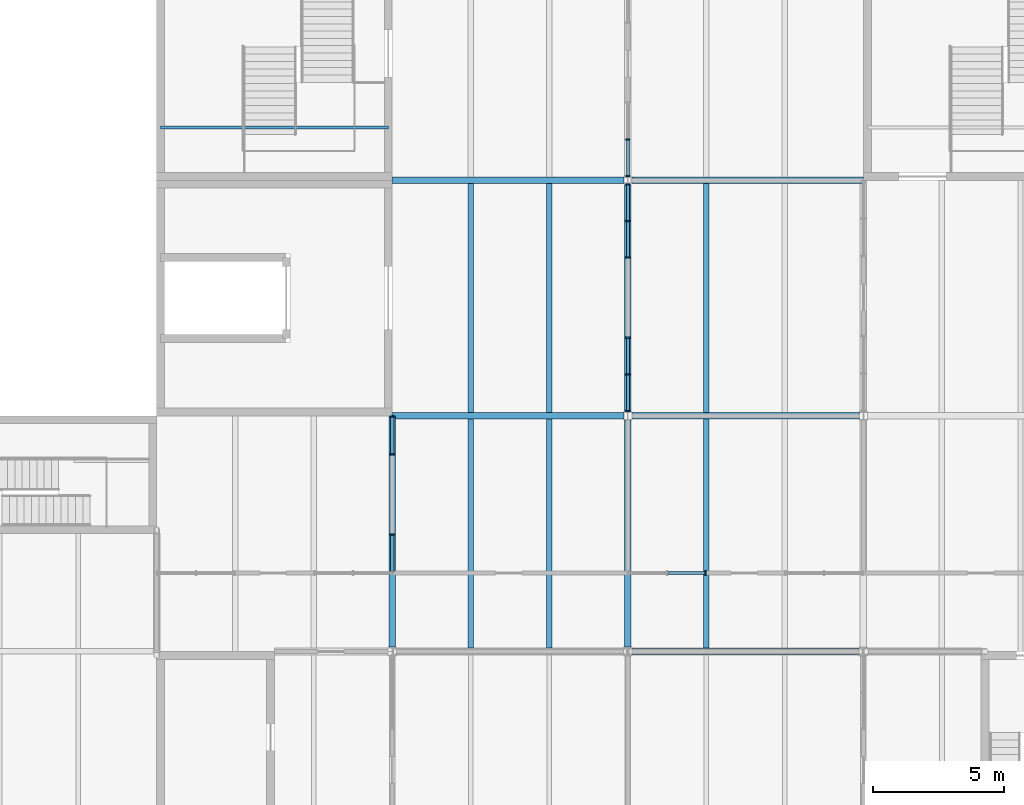
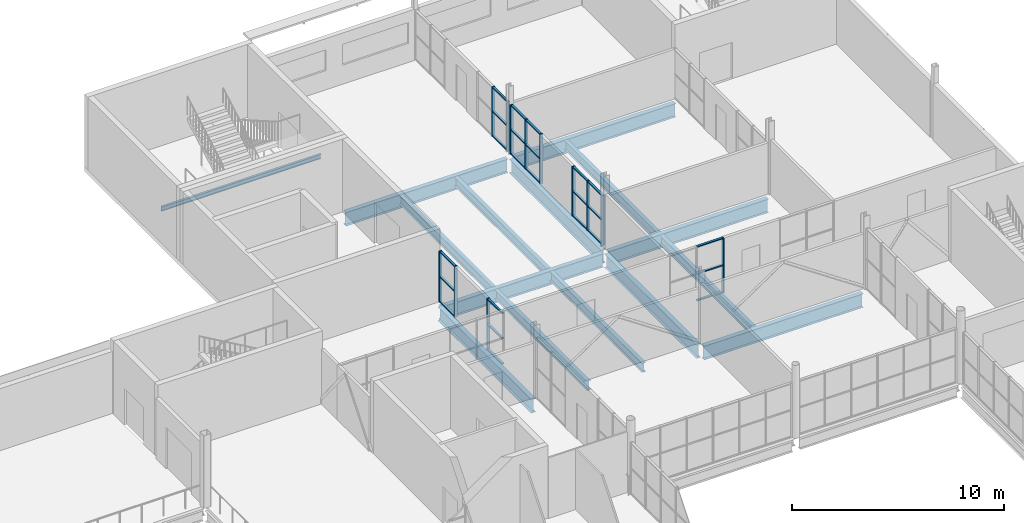
# One storey, part 22 of 57: 36 members, 15 beams, 6 elements without a shape of their own.
"""IFC4 building model written with IfcOpenShell, lengths in metres."""

from ifc_helpers import new_model, si_unit, direction, frame, origin, origin_2d, place, context, subcontext, project, spatial, rectangle, i_section, extrude, material, layer, layer_set, material_profile, profile_set, type_object, element, aggregate, save


model = new_model("IFC4")

# Units and contexts
model_context = context("Model", 3, precision=1e-05, world=origin(), true_north=direction((0.0, 1.0)))
body_context = subcontext(model_context, "Body", "Model", "MODEL_VIEW")
ifc_project = project(units=[si_unit("LENGTHUNIT", "METRE"), si_unit("AREAUNIT", "SQUARE_METRE"), si_unit("VOLUMEUNIT", "CUBIC_METRE"), si_unit("PLANEANGLEUNIT", "RADIAN"), si_unit("MASSUNIT", "GRAM", prefix="KILO")], contexts=[model_context])

# Site, building, storey
site_placement = place(None, origin())
site = spatial("IfcSite", under=ifc_project, at=site_placement, CompositionType="ELEMENT")
building_placement = place(site_placement, origin())
building = spatial("IfcBuilding", under=site, at=building_placement, Name="Halyard Row Museum", CompositionType="ELEMENT")
storey_placement = place(building_placement, frame((0.0, 0.0, 5.0)))
storey = spatial("IfcBuildingStorey", under=building, at=storey_placement, Name="L01", CompositionType="ELEMENT", Elevation=5.0)

# Curtain wall, member
ifc_material_1 = material(Name="Fire-resisting laminated glazing", Category="glass")
ifc_layer = layer(ifc_material_1, 0.159912109375)
ifc_layer_set = layer_set([ifc_layer], Name="Fire-resisting laminated glazing")
curtain_wall_type = type_object("IfcCurtainWallType", Name="Curtain wall atrium screen 160 deep", PredefinedType="NOTDEFINED", material=ifc_layer_set)
curtain_wall_1_placement = place(storey_placement, origin())
curtain_wall_1 = element("IfcCurtainWall", 1, at=curtain_wall_1_placement, inside=storey, type_object=curtain_wall_type, Name="Curtain wall CW150", PredefinedType="NOTDEFINED")
ifc_material_2 = material(Name="Powder-coated aluminium section", Category="aluminium")
ifc_material_profile_1 = material_profile(ifc_material_2, rectangle(XDim=0.159912109375, YDim=0.06005859375, at=origin_2d()), Name="160x60 mullion")
ifc_profile_set_1 = profile_set([ifc_material_profile_1], Name="Powder-coated aluminium section")
member_type_1 = type_object("IfcMemberType", Name="Curtain wall mullion CM5 60 x 160", PredefinedType="MULLION", material=ifc_profile_set_1)
member_1_placement = place(storey_placement, frame((92.969970703125, 39.0, 0.0), z_axis=(0.0, 0.0, 1.0), x_axis=(0.0, 1.0, 0.0)))
member_1 = element("IfcMember", 2, at=member_1_placement, type_object=member_type_1, Name="CW150 mullion 3", PredefinedType="MULLION", context=body_context, shape_type="SweptSolid", body=[
    extrude(rectangle(XDim=0.159912109375, YDim=0.06005859375, at=origin_2d()), origin(), (0.0, 0.0, 1.0), 3.157958984375),
])

curtain_wall_2_placement = place(storey_placement, origin())
curtain_wall_2 = element("IfcCurtainWall", 3, at=curtain_wall_2_placement, inside=storey, type_object=curtain_wall_type, Name="Curtain wall CW152", PredefinedType="NOTDEFINED")
member_2_placement = place(storey_placement, frame((81.0, 40.469970703125, 0.0), z_axis=(0.0, 0.0, 1.0), x_axis=(-1.0, 0.0, 0.0)))
member_2 = element("IfcMember", 4, at=member_2_placement, type_object=member_type_1, Name="CW152 mullion 2", PredefinedType="MULLION", context=body_context, shape_type="SweptSolid", body=[
    extrude(rectangle(XDim=0.159912109375, YDim=0.06005859375, at=origin_2d()), origin(), (0.0, 0.0, 1.0), 2.949951171875),
])

# Curtain wall, members
curtain_wall_3_placement = place(storey_placement, origin())
curtain_wall_3 = element("IfcCurtainWall", 5, at=curtain_wall_3_placement, inside=storey, type_object=curtain_wall_type, Name="Curtain wall CW153", PredefinedType="NOTDEFINED")
member_3_placement = place(storey_placement, frame((81.0, 43.530029296875, 0.0), z_axis=(0.0, 0.0, 1.0), x_axis=(-1.0, 0.0, 0.0)))
member_3 = element("IfcMember", 6, at=member_3_placement, type_object=member_type_1, Name="CW153 mullion 1", PredefinedType="MULLION", context=body_context, shape_type="SweptSolid", body=[
    extrude(rectangle(XDim=0.159912109375, YDim=0.06005859375, at=origin_2d()), origin(), (0.0, 0.0, 1.0), 2.949951171875),
])
member_4_placement = place(storey_placement, frame((81.0, 44.969970703125, 0.0), z_axis=(0.0, 0.0, 1.0), x_axis=(-1.0, 0.0, 0.0)))
member_4 = element("IfcMember", 7, at=member_4_placement, type_object=member_type_1, Name="CW153 mullion 2", PredefinedType="MULLION", context=body_context, shape_type="SweptSolid", body=[
    extrude(rectangle(XDim=0.159912109375, YDim=0.06005859375, at=origin_2d()), origin(), (0.0, 0.0, 1.0), 2.949951171875),
])

curtain_wall_4_placement = place(storey_placement, origin())
curtain_wall_4 = element("IfcCurtainWall", 8, at=curtain_wall_4_placement, inside=storey, type_object=curtain_wall_type, Name="Curtain wall CW154", PredefinedType="NOTDEFINED")
member_5_placement = place(storey_placement, frame((90.0, 45.18408203125, 0.0), z_axis=(0.0, 0.0, 1.0), x_axis=(-1.0, 0.0, 0.0)))
member_5 = element("IfcMember", 9, at=member_5_placement, type_object=member_type_1, Name="CW154 mullion 1", PredefinedType="MULLION", context=body_context, shape_type="SweptSolid", body=[
    extrude(rectangle(XDim=0.159912109375, YDim=0.06005859375, at=origin_2d()), origin(), (0.0, 0.0, 1.0), 2.85791015625),
])
member_6_placement = place(storey_placement, frame((90.0, 46.583740234375, 0.0), z_axis=(0.0, 0.0, 1.0), x_axis=(-1.0, 0.0, 0.0)))
member_6 = element("IfcMember", 10, at=member_6_placement, type_object=member_type_1, Name="CW154 mullion 2", PredefinedType="MULLION", context=body_context, shape_type="SweptSolid", body=[
    extrude(rectangle(XDim=0.159912109375, YDim=0.06005859375, at=origin_2d()), origin(), (0.0, 0.0, 1.0), 2.85791015625),
])
member_7_placement = place(storey_placement, frame((90.0, 47.983642578125, 0.0), z_axis=(0.0, 0.0, 1.0), x_axis=(-1.0, 0.0, 0.0)))
member_7 = element("IfcMember", 11, at=member_7_placement, type_object=member_type_1, Name="CW154 mullion 3", PredefinedType="MULLION", context=body_context, shape_type="SweptSolid", body=[
    extrude(rectangle(XDim=0.159912109375, YDim=0.06005859375, at=origin_2d()), origin(), (0.0, 0.0, 1.0), 2.85791015625),
])

curtain_wall_5_placement = place(storey_placement, origin())
curtain_wall_5 = element("IfcCurtainWall", 12, at=curtain_wall_5_placement, inside=storey, type_object=curtain_wall_type, Name="Curtain wall CW155", PredefinedType="NOTDEFINED")
member_8_placement = place(storey_placement, frame((90.0, 51.04345703125, 0.0), z_axis=(0.0, 0.0, 1.0), x_axis=(-1.0, 0.0, 0.0)))
member_8 = element("IfcMember", 13, at=member_8_placement, type_object=member_type_1, Name="CW155 mullion 1", PredefinedType="MULLION", context=body_context, shape_type="SweptSolid", body=[
    extrude(rectangle(XDim=0.159912109375, YDim=0.06005859375, at=origin_2d()), origin(), (0.0, 0.0, 1.0), 2.85791015625),
])
member_9_placement = place(storey_placement, frame((90.0, 52.443359375, 0.0), z_axis=(0.0, 0.0, 1.0), x_axis=(-1.0, 0.0, 0.0)))
member_9 = element("IfcMember", 14, at=member_9_placement, type_object=member_type_1, Name="CW155 mullion 2", PredefinedType="MULLION", context=body_context, shape_type="SweptSolid", body=[
    extrude(rectangle(XDim=0.159912109375, YDim=0.06005859375, at=origin_2d()), origin(), (0.0, 0.0, 1.0), 2.85791015625),
])
member_10_placement = place(storey_placement, frame((90.0, 53.843017578125, 0.0), z_axis=(0.0, 0.0, 1.0), x_axis=(-1.0, 0.0, 0.0)))
member_10 = element("IfcMember", 15, at=member_10_placement, type_object=member_type_1, Name="CW155 mullion 3", PredefinedType="MULLION", context=body_context, shape_type="SweptSolid", body=[
    extrude(rectangle(XDim=0.159912109375, YDim=0.06005859375, at=origin_2d()), origin(), (0.0, 0.0, 1.0), 2.85791015625),
])

curtain_wall_6_placement = place(storey_placement, origin())
curtain_wall_6 = element("IfcCurtainWall", 16, at=curtain_wall_6_placement, inside=storey, type_object=curtain_wall_type, Name="Curtain wall CW158", PredefinedType="NOTDEFINED")
member_11_placement = place(storey_placement, frame((90.0, 54.156982421875, 0.0), z_axis=(0.0, 0.0, 1.0), x_axis=(-1.0, 0.0, 0.0)))
member_11 = element("IfcMember", 17, at=member_11_placement, type_object=member_type_1, Name="CW158 mullion 1", PredefinedType="MULLION", context=body_context, shape_type="SweptSolid", body=[
    extrude(rectangle(XDim=0.159912109375, YDim=0.06005859375, at=origin_2d()), origin(), (0.0, 0.0, 1.0), 2.85791015625),
])
member_12_placement = place(storey_placement, frame((90.0, 55.56396484375, 0.0), z_axis=(0.0, 0.0, 1.0), x_axis=(-1.0, 0.0, 0.0)))
member_12 = element("IfcMember", 18, at=member_12_placement, type_object=member_type_1, Name="CW158 mullion 2", PredefinedType="MULLION", context=body_context, shape_type="SweptSolid", body=[
    extrude(rectangle(XDim=0.159912109375, YDim=0.06005859375, at=origin_2d()), origin(), (0.0, 0.0, 1.0), 2.85791015625),
])

# Member
ifc_material_3 = material(Name="Powder-coated aluminium section", Category="aluminium")
ifc_material_profile_2 = material_profile(ifc_material_3, rectangle(XDim=0.1201171875, YDim=0.06005859375, at=origin_2d()), Name="120x60 transom")
ifc_profile_set_2 = profile_set([ifc_material_profile_2], Name="Powder-coated aluminium section")
member_type_2 = type_object("IfcMemberType", Name="Curtain wall transom CT5 60 x 120", PredefinedType="USERDEFINED", material=ifc_profile_set_2)
member_13_placement = place(storey_placement, frame((91.530029296875, 39.0, 0.030029296875), z_axis=(1.0, 0.0, 0.0), x_axis=(0.0, 1.0, 0.0)))
member_13 = element("IfcMember", 19, at=member_13_placement, type_object=member_type_2, Name="CW150 transom 2.1", ObjectType="TRANSOM", PredefinedType="USERDEFINED", context=body_context, shape_type="SweptSolid", body=[
    extrude(rectangle(XDim=0.1201171875, YDim=0.06005859375, at=origin_2d()), origin(), (0.0, 0.0, 1.0), 1.409912109375),
])

member_14_placement = place(storey_placement, frame((91.530029296875, 39.0, 1.5791015625), z_axis=(1.0, 0.0, 0.0), x_axis=(0.0, 1.0, 0.0)))
member_14 = element("IfcMember", 20, at=member_14_placement, type_object=member_type_2, Name="CW150 transom 2.2", ObjectType="TRANSOM", PredefinedType="USERDEFINED", context=body_context, shape_type="SweptSolid", body=[
    extrude(rectangle(XDim=0.1201171875, YDim=0.06005859375, at=origin_2d()), origin(), (0.0, 0.0, 1.0), 1.409912109375),
])

member_15_placement = place(storey_placement, frame((91.530029296875, 39.0, 3.1279296875), z_axis=(1.0, 0.0, 0.0), x_axis=(0.0, 1.0, 0.0)))
member_15 = element("IfcMember", 21, at=member_15_placement, type_object=member_type_2, Name="CW150 transom 2.3", ObjectType="TRANSOM", PredefinedType="USERDEFINED", context=body_context, shape_type="SweptSolid", body=[
    extrude(rectangle(XDim=0.1201171875, YDim=0.06005859375, at=origin_2d()), origin(), (0.0, 0.0, 1.0), 1.409912109375),
])

aggregate(curtain_wall_1, [member_1, member_13, member_14, member_15])

member_16_placement = place(storey_placement, frame((81.0, 39.06005859375, 0.030029296875), z_axis=(0.0, 1.0, 0.0), x_axis=(-1.0, 0.0, 0.0)))
member_16 = element("IfcMember", 22, at=member_16_placement, type_object=member_type_2, Name="CW152 transom 1.1", ObjectType="TRANSOM", PredefinedType="USERDEFINED", context=body_context, shape_type="SweptSolid", body=[
    extrude(rectangle(XDim=0.1201171875, YDim=0.06005859375, at=origin_2d()), origin(), (0.0, 0.0, 1.0), 1.3798828125),
])

member_17_placement = place(storey_placement, frame((81.0, 39.06005859375, 1.47509765625), z_axis=(0.0, 1.0, 0.0), x_axis=(-1.0, 0.0, 0.0)))
member_17 = element("IfcMember", 23, at=member_17_placement, type_object=member_type_2, Name="CW152 transom 1.2", ObjectType="TRANSOM", PredefinedType="USERDEFINED", context=body_context, shape_type="SweptSolid", body=[
    extrude(rectangle(XDim=0.1201171875, YDim=0.06005859375, at=origin_2d()), origin(), (0.0, 0.0, 1.0), 1.3798828125),
])

member_18_placement = place(storey_placement, frame((81.0, 39.06005859375, 2.919921875), z_axis=(0.0, 1.0, 0.0), x_axis=(-1.0, 0.0, 0.0)))
member_18 = element("IfcMember", 24, at=member_18_placement, type_object=member_type_2, Name="CW152 transom 1.3", ObjectType="TRANSOM", PredefinedType="USERDEFINED", context=body_context, shape_type="SweptSolid", body=[
    extrude(rectangle(XDim=0.1201171875, YDim=0.06005859375, at=origin_2d()), origin(), (0.0, 0.0, 1.0), 1.3798828125),
])

aggregate(curtain_wall_2, [member_2, member_16, member_17, member_18])

member_19_placement = place(storey_placement, frame((81.0, 43.56005859375, 0.030029296875), z_axis=(0.0, 1.0, 0.0), x_axis=(-1.0, 0.0, 0.0)))
member_19 = element("IfcMember", 25, at=member_19_placement, type_object=member_type_2, Name="CW153 transom 1.1", ObjectType="TRANSOM", PredefinedType="USERDEFINED", context=body_context, shape_type="SweptSolid", body=[
    extrude(rectangle(XDim=0.1201171875, YDim=0.06005859375, at=origin_2d()), origin(), (0.0, 0.0, 1.0), 1.3798828125),
])

member_20_placement = place(storey_placement, frame((81.0, 43.56005859375, 1.47509765625), z_axis=(0.0, 1.0, 0.0), x_axis=(-1.0, 0.0, 0.0)))
member_20 = element("IfcMember", 26, at=member_20_placement, type_object=member_type_2, Name="CW153 transom 1.2", ObjectType="TRANSOM", PredefinedType="USERDEFINED", context=body_context, shape_type="SweptSolid", body=[
    extrude(rectangle(XDim=0.1201171875, YDim=0.06005859375, at=origin_2d()), origin(), (0.0, 0.0, 1.0), 1.3798828125),
])

member_21_placement = place(storey_placement, frame((81.0, 43.56005859375, 2.919921875), z_axis=(0.0, 1.0, 0.0), x_axis=(-1.0, 0.0, 0.0)))
member_21 = element("IfcMember", 27, at=member_21_placement, type_object=member_type_2, Name="CW153 transom 1.3", ObjectType="TRANSOM", PredefinedType="USERDEFINED", context=body_context, shape_type="SweptSolid", body=[
    extrude(rectangle(XDim=0.1201171875, YDim=0.06005859375, at=origin_2d()), origin(), (0.0, 0.0, 1.0), 1.3798828125),
])

aggregate(curtain_wall_3, [member_3, member_4, member_19, member_20, member_21])

member_22_placement = place(storey_placement, frame((90.0, 45.214111328125, 0.030029296875), z_axis=(0.0, 1.0, 0.0), x_axis=(-1.0, 0.0, 0.0)))
member_22 = element("IfcMember", 28, at=member_22_placement, type_object=member_type_2, Name="CW154 transom 1.1", ObjectType="TRANSOM", PredefinedType="USERDEFINED", context=body_context, shape_type="SweptSolid", body=[
    extrude(rectangle(XDim=0.1201171875, YDim=0.06005859375, at=origin_2d()), origin(), (0.0, 0.0, 1.0), 1.339599609375),
])

member_23_placement = place(storey_placement, frame((90.0, 45.214111328125, 1.428955078125), z_axis=(0.0, 1.0, 0.0), x_axis=(-1.0, 0.0, 0.0)))
member_23 = element("IfcMember", 29, at=member_23_placement, type_object=member_type_2, Name="CW154 transom 1.2", ObjectType="TRANSOM", PredefinedType="USERDEFINED", context=body_context, shape_type="SweptSolid", body=[
    extrude(rectangle(XDim=0.1201171875, YDim=0.06005859375, at=origin_2d()), origin(), (0.0, 0.0, 1.0), 1.339599609375),
])

member_24_placement = place(storey_placement, frame((90.0, 45.214111328125, 2.827880859375), z_axis=(0.0, 1.0, 0.0), x_axis=(-1.0, 0.0, 0.0)))
member_24 = element("IfcMember", 30, at=member_24_placement, type_object=member_type_2, Name="CW154 transom 1.3", ObjectType="TRANSOM", PredefinedType="USERDEFINED", context=body_context, shape_type="SweptSolid", body=[
    extrude(rectangle(XDim=0.1201171875, YDim=0.06005859375, at=origin_2d()), origin(), (0.0, 0.0, 1.0), 1.339599609375),
])

member_25_placement = place(storey_placement, frame((90.0, 46.61376953125, 0.030029296875), z_axis=(0.0, 1.0, 0.0), x_axis=(-1.0, 0.0, 0.0)))
member_25 = element("IfcMember", 31, at=member_25_placement, type_object=member_type_2, Name="CW154 transom 2.1", ObjectType="TRANSOM", PredefinedType="USERDEFINED", context=body_context, shape_type="SweptSolid", body=[
    extrude(rectangle(XDim=0.1201171875, YDim=0.06005859375, at=origin_2d()), origin(), (0.0, 0.0, 1.0), 1.33984375),
])

member_26_placement = place(storey_placement, frame((90.0, 46.61376953125, 1.428955078125), z_axis=(0.0, 1.0, 0.0), x_axis=(-1.0, 0.0, 0.0)))
member_26 = element("IfcMember", 32, at=member_26_placement, type_object=member_type_2, Name="CW154 transom 2.2", ObjectType="TRANSOM", PredefinedType="USERDEFINED", context=body_context, shape_type="SweptSolid", body=[
    extrude(rectangle(XDim=0.1201171875, YDim=0.06005859375, at=origin_2d()), origin(), (0.0, 0.0, 1.0), 1.33984375),
])

member_27_placement = place(storey_placement, frame((90.0, 46.61376953125, 2.827880859375), z_axis=(0.0, 1.0, 0.0), x_axis=(-1.0, 0.0, 0.0)))
member_27 = element("IfcMember", 33, at=member_27_placement, type_object=member_type_2, Name="CW154 transom 2.3", ObjectType="TRANSOM", PredefinedType="USERDEFINED", context=body_context, shape_type="SweptSolid", body=[
    extrude(rectangle(XDim=0.1201171875, YDim=0.06005859375, at=origin_2d()), origin(), (0.0, 0.0, 1.0), 1.33984375),
])

aggregate(curtain_wall_4, [member_5, member_6, member_7, member_22, member_23, member_24, member_25, member_26, member_27])

member_28_placement = place(storey_placement, frame((90.0, 51.073486328125, 0.030029296875), z_axis=(0.0, 1.0, 0.0), x_axis=(-1.0, 0.0, 0.0)))
member_28 = element("IfcMember", 34, at=member_28_placement, type_object=member_type_2, Name="CW155 transom 1.1", ObjectType="TRANSOM", PredefinedType="USERDEFINED", context=body_context, shape_type="SweptSolid", body=[
    extrude(rectangle(XDim=0.1201171875, YDim=0.06005859375, at=origin_2d()), origin(), (0.0, 0.0, 1.0), 1.33984375),
])

member_29_placement = place(storey_placement, frame((90.0, 51.073486328125, 1.428955078125), z_axis=(0.0, 1.0, 0.0), x_axis=(-1.0, 0.0, 0.0)))
member_29 = element("IfcMember", 35, at=member_29_placement, type_object=member_type_2, Name="CW155 transom 1.2", ObjectType="TRANSOM", PredefinedType="USERDEFINED", context=body_context, shape_type="SweptSolid", body=[
    extrude(rectangle(XDim=0.1201171875, YDim=0.06005859375, at=origin_2d()), origin(), (0.0, 0.0, 1.0), 1.33984375),
])

member_30_placement = place(storey_placement, frame((90.0, 51.073486328125, 2.827880859375), z_axis=(0.0, 1.0, 0.0), x_axis=(-1.0, 0.0, 0.0)))
member_30 = element("IfcMember", 36, at=member_30_placement, type_object=member_type_2, Name="CW155 transom 1.3", ObjectType="TRANSOM", PredefinedType="USERDEFINED", context=body_context, shape_type="SweptSolid", body=[
    extrude(rectangle(XDim=0.1201171875, YDim=0.06005859375, at=origin_2d()), origin(), (0.0, 0.0, 1.0), 1.33984375),
])

member_31_placement = place(storey_placement, frame((90.0, 52.473388671875, 0.030029296875), z_axis=(0.0, 1.0, 0.0), x_axis=(-1.0, 0.0, 0.0)))
member_31 = element("IfcMember", 37, at=member_31_placement, type_object=member_type_2, Name="CW155 transom 2.1", ObjectType="TRANSOM", PredefinedType="USERDEFINED", context=body_context, shape_type="SweptSolid", body=[
    extrude(rectangle(XDim=0.1201171875, YDim=0.06005859375, at=origin_2d()), origin(), (0.0, 0.0, 1.0), 1.339599609375),
])

member_32_placement = place(storey_placement, frame((90.0, 52.473388671875, 1.428955078125), z_axis=(0.0, 1.0, 0.0), x_axis=(-1.0, 0.0, 0.0)))
member_32 = element("IfcMember", 38, at=member_32_placement, type_object=member_type_2, Name="CW155 transom 2.2", ObjectType="TRANSOM", PredefinedType="USERDEFINED", context=body_context, shape_type="SweptSolid", body=[
    extrude(rectangle(XDim=0.1201171875, YDim=0.06005859375, at=origin_2d()), origin(), (0.0, 0.0, 1.0), 1.339599609375),
])

member_33_placement = place(storey_placement, frame((90.0, 52.473388671875, 2.827880859375), z_axis=(0.0, 1.0, 0.0), x_axis=(-1.0, 0.0, 0.0)))
member_33 = element("IfcMember", 39, at=member_33_placement, type_object=member_type_2, Name="CW155 transom 2.3", ObjectType="TRANSOM", PredefinedType="USERDEFINED", context=body_context, shape_type="SweptSolid", body=[
    extrude(rectangle(XDim=0.1201171875, YDim=0.06005859375, at=origin_2d()), origin(), (0.0, 0.0, 1.0), 1.339599609375),
])

aggregate(curtain_wall_5, [member_8, member_9, member_10, member_28, member_29, member_30, member_31, member_32, member_33])

member_34_placement = place(storey_placement, frame((90.0, 54.18701171875, 0.030029296875), z_axis=(0.0, 1.0, 0.0), x_axis=(-1.0, 0.0, 0.0)))
member_34 = element("IfcMember", 40, at=member_34_placement, type_object=member_type_2, Name="CW158 transom 1.1", ObjectType="TRANSOM", PredefinedType="USERDEFINED", context=body_context, shape_type="SweptSolid", body=[
    extrude(rectangle(XDim=0.1201171875, YDim=0.06005859375, at=origin_2d()), origin(), (0.0, 0.0, 1.0), 1.346923828125),
])

member_35_placement = place(storey_placement, frame((90.0, 54.18701171875, 1.428955078125), z_axis=(0.0, 1.0, 0.0), x_axis=(-1.0, 0.0, 0.0)))
member_35 = element("IfcMember", 41, at=member_35_placement, type_object=member_type_2, Name="CW158 transom 1.2", ObjectType="TRANSOM", PredefinedType="USERDEFINED", context=body_context, shape_type="SweptSolid", body=[
    extrude(rectangle(XDim=0.1201171875, YDim=0.06005859375, at=origin_2d()), origin(), (0.0, 0.0, 1.0), 1.346923828125),
])

member_36_placement = place(storey_placement, frame((90.0, 54.18701171875, 2.827880859375), z_axis=(0.0, 1.0, 0.0), x_axis=(-1.0, 0.0, 0.0)))
member_36 = element("IfcMember", 42, at=member_36_placement, type_object=member_type_2, Name="CW158 transom 1.3", ObjectType="TRANSOM", PredefinedType="USERDEFINED", context=body_context, shape_type="SweptSolid", body=[
    extrude(rectangle(XDim=0.1201171875, YDim=0.06005859375, at=origin_2d()), origin(), (0.0, 0.0, 1.0), 1.346923828125),
])

aggregate(curtain_wall_6, [member_11, member_12, member_34, member_35, member_36])

# Beams
ifc_material_4 = material(Name="Steel Grade 300", Category="steel")
ifc_material_profile_3 = material_profile(ifc_material_4, i_section(OverallWidth=0.25, OverallDepth=0.7919921875, WebThickness=0.010009765625, FlangeThickness=0.01611328125, at=origin_2d()), Name="800WB122")
ifc_profile_set_3 = profile_set([ifc_material_profile_3], Name="Steel Grade 300")
beam_type_1 = type_object("IfcBeamType", Name="Girder beam 800WB122 (lowered 85)", PredefinedType="BEAM", material=ifc_profile_set_3)
beam_1_placement = place(storey_placement, frame((90.155517578125, 36.0, -0.64599609375), z_axis=(1.0, 0.0, 0.0), x_axis=(0.0, 1.0, 0.0)))
element("IfcBeam", 43, at=beam_1_placement, inside=storey, type_object=beam_type_1, Name="Beam L01-033", PredefinedType="BEAM", context=body_context, shape_type="SweptSolid", body=[
    extrude(i_section(OverallWidth=0.25, OverallDepth=0.7919921875, WebThickness=0.010009765625, FlangeThickness=0.01611328125, at=origin_2d()), origin(), (0.0, 0.0, 1.0), 8.66943359375),
])
beam_2_placement = place(storey_placement, frame((81.0, 45.0, -0.64599609375), z_axis=(1.0, 0.0, 0.0), x_axis=(0.0, 1.0, 0.0)))
element("IfcBeam", 44, at=beam_2_placement, inside=storey, type_object=beam_type_1, Name="Beam L01-038", PredefinedType="BEAM", context=body_context, shape_type="SweptSolid", body=[
    extrude(i_section(OverallWidth=0.25, OverallDepth=0.7919921875, WebThickness=0.010009765625, FlangeThickness=0.01611328125, at=origin_2d()), origin(), (0.0, 0.0, 1.0), 8.845458984375),
])
beam_3_placement = place(storey_placement, frame((90.154541015625, 45.0, -0.64599609375), z_axis=(1.0, 0.0, 0.0), x_axis=(0.0, 1.0, 0.0)))
element("IfcBeam", 45, at=beam_3_placement, inside=storey, type_object=beam_type_1, Name="Beam L01-039", PredefinedType="BEAM", context=body_context, shape_type="SweptSolid", body=[
    extrude(i_section(OverallWidth=0.25, OverallDepth=0.7919921875, WebThickness=0.010009765625, FlangeThickness=0.01611328125, at=origin_2d()), origin(), (0.0, 0.0, 1.0), 8.69091796875),
])
for number, where, z_axis, x_axis, name in (
    (46, (81.0, 54.0, -0.64599609375), (1.0, 0.0, 0.0), (0.0, 1.0, 0.0), "Beam L01-041"),
    (47, (90.152587890625, 54.0, -0.64599609375), (1.0, 0.0, 0.0), (0.0, 1.0, 0.0), "Beam L01-042"),
):
    element("IfcBeam", number, at=place(storey_placement, frame(where, z_axis=z_axis, x_axis=x_axis)), inside=storey, type_object=beam_type_1, Name=name, PredefinedType="BEAM", context=body_context, shape_type="SweptSolid", body=[
        extrude(i_section(OverallWidth=0.25, OverallDepth=0.7919921875, WebThickness=0.010009765625, FlangeThickness=0.01611328125, at=origin_2d()), origin(), (0.0, 0.0, 1.0), 8.847412109375),
    ])
beam_4_placement = place(storey_placement, frame((81.0, 36.16943359375, -0.64599609375), z_axis=(0.0, 1.0, 0.0), x_axis=(-1.0, 0.0, 0.0)))
element("IfcBeam", 48, at=beam_4_placement, inside=storey, type_object=beam_type_1, Name="Beam L01-069", PredefinedType="BEAM", context=body_context, shape_type="SweptSolid", body=[
    extrude(i_section(OverallWidth=0.25, OverallDepth=0.7919921875, WebThickness=0.010009765625, FlangeThickness=0.01611328125, at=origin_2d()), origin(), (0.0, 0.0, 1.0), 8.83056640625),
])
beam_5_placement = place(storey_placement, frame((90.0, 36.16357421875, -0.64599609375), z_axis=(0.0, 1.0, 0.0), x_axis=(-1.0, 0.0, 0.0)))
element("IfcBeam", 49, at=beam_5_placement, inside=storey, type_object=beam_type_1, Name="Beam L01-072", PredefinedType="BEAM", context=body_context, shape_type="SweptSolid", body=[
    extrude(i_section(OverallWidth=0.25, OverallDepth=0.7919921875, WebThickness=0.010009765625, FlangeThickness=0.01611328125, at=origin_2d()), origin(), (0.0, 0.0, 1.0), 8.676025390625),
])
beam_6_placement = place(storey_placement, frame((90.0, 45.160400390625, -0.64599609375), z_axis=(0.0, 1.0, 0.0), x_axis=(-1.0, 0.0, 0.0)))
element("IfcBeam", 50, at=beam_6_placement, inside=storey, type_object=beam_type_1, Name="Beam L01-073", PredefinedType="BEAM", context=body_context, shape_type="SweptSolid", body=[
    extrude(i_section(OverallWidth=0.25, OverallDepth=0.7919921875, WebThickness=0.010009765625, FlangeThickness=0.01611328125, at=origin_2d()), origin(), (0.0, 0.0, 1.0), 8.685546875),
])
ifc_material_5 = material(Name="Steel Grade 300", Category="steel")
ifc_material_profile_4 = material_profile(ifc_material_5, i_section(OverallWidth=0.1240234375, OverallDepth=0.248046875, WebThickness=0.0048828125, FlangeThickness=0.008056640625, FilletRadius=0.011962890625, at=origin_2d()), Name="250UB25.7")
ifc_profile_set_4 = profile_set([ifc_material_profile_4], Name="Steel Grade 300")
beam_type_2 = type_object("IfcBeamType", Name="Landing trimmer 250UB25.7", PredefinedType="BEAM", material=ifc_profile_set_4)
beam_7_placement = place(storey_placement, frame((80.85009765625, 56.02001953125, 1.77587890625), z_axis=(-1.0, 0.0, 0.0), x_axis=(0.0, -1.0, 0.0)))
element("IfcBeam", 51, at=beam_7_placement, inside=storey, type_object=beam_type_2, Name="Landing trimmer K5A L01 1", PredefinedType="BEAM", context=body_context, shape_type="SweptSolid", body=[
    extrude(i_section(OverallWidth=0.1240234375, OverallDepth=0.248046875, WebThickness=0.0048828125, FlangeThickness=0.008056640625, FilletRadius=0.011962890625, at=origin_2d()), origin(), (0.0, 0.0, 1.0), 8.7001953125),
])
ifc_material_6 = material(Name="Steel Grade 300", Category="steel")
ifc_material_profile_5 = material_profile(ifc_material_6, i_section(OverallWidth=0.208984375, OverallDepth=0.5283203125, WebThickness=0.009521484375, FlangeThickness=0.01318359375, FilletRadius=0.013916015625, at=origin_2d()), Name="530UB82.0")
ifc_profile_set_5 = profile_set([ifc_material_profile_5], Name="Steel Grade 300")
beam_type_3 = type_object("IfcBeamType", Name="Secondary beam 530UB82.0 (lowered 85)", PredefinedType="BEAM", material=ifc_profile_set_5)
for number, where, z_axis, x_axis, name in (
    (52, (84.0, 36.125, -0.51416015625), (0.0, 1.0, 0.0), (-1.0, 0.0, 0.0), "Beam L01-138"),
    (53, (87.0, 36.125, -0.51416015625), (0.0, 1.0, 0.0), (-1.0, 0.0, 0.0), "Beam L01-139"),
    (54, (93.0, 36.125, -0.51416015625), (0.0, 1.0, 0.0), (-1.0, 0.0, 0.0), "Beam L01-140"),
    (55, (84.0, 45.125, -0.51416015625), (0.0, 1.0, 0.0), (-1.0, 0.0, 0.0), "Beam L01-143"),
    (56, (87.0, 45.125, -0.51416015625), (0.0, 1.0, 0.0), (-1.0, 0.0, 0.0), "Beam L01-144"),
    (57, (93.0, 45.125, -0.51416015625), (0.0, 1.0, 0.0), (-1.0, 0.0, 0.0), "Beam L01-145"),
):
    element("IfcBeam", number, at=place(storey_placement, frame(where, z_axis=z_axis, x_axis=x_axis)), inside=storey, type_object=beam_type_3, Name=name, PredefinedType="BEAM", context=body_context, shape_type="SweptSolid", body=[
        extrude(i_section(OverallWidth=0.208984375, OverallDepth=0.5283203125, WebThickness=0.009521484375, FlangeThickness=0.01318359375, FilletRadius=0.013916015625, at=origin_2d()), origin(), (0.0, 0.0, 1.0), 8.75),
    ])

save(model, "model.ifc")
